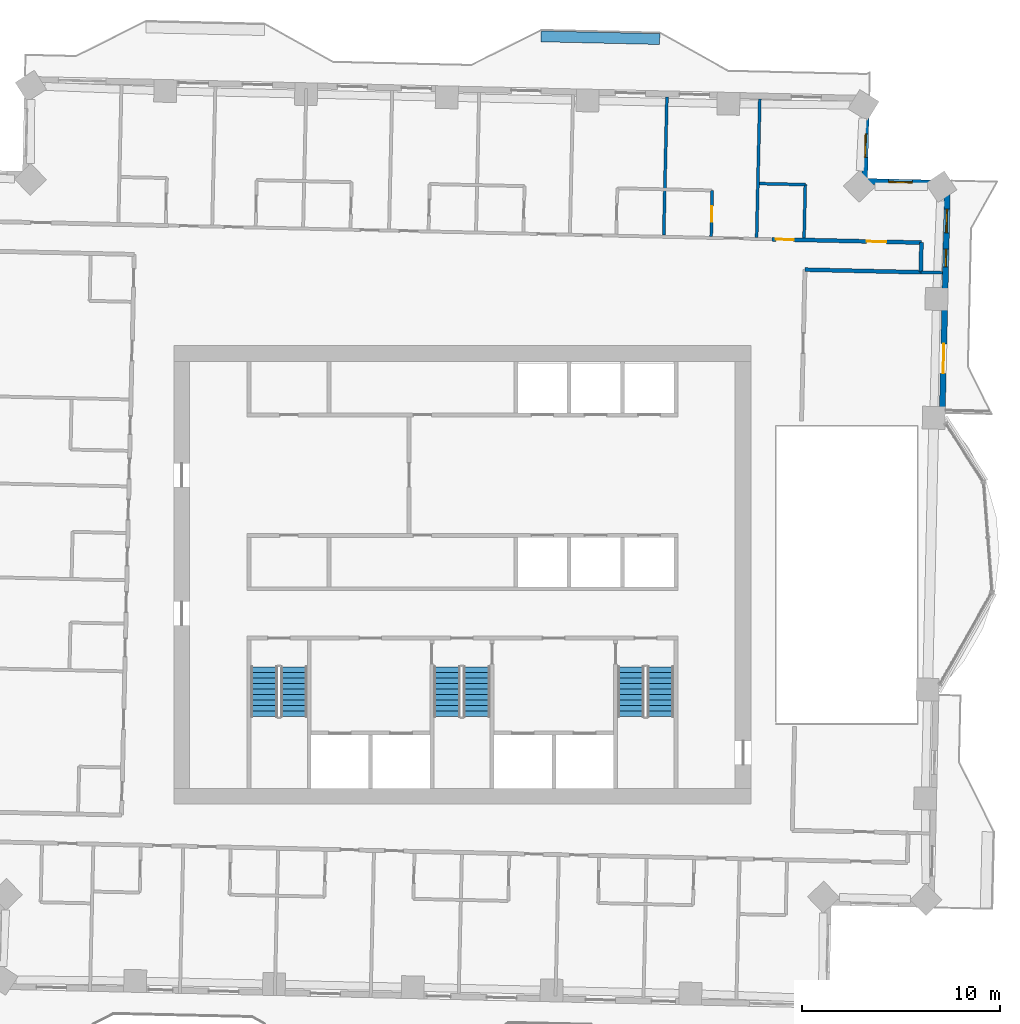
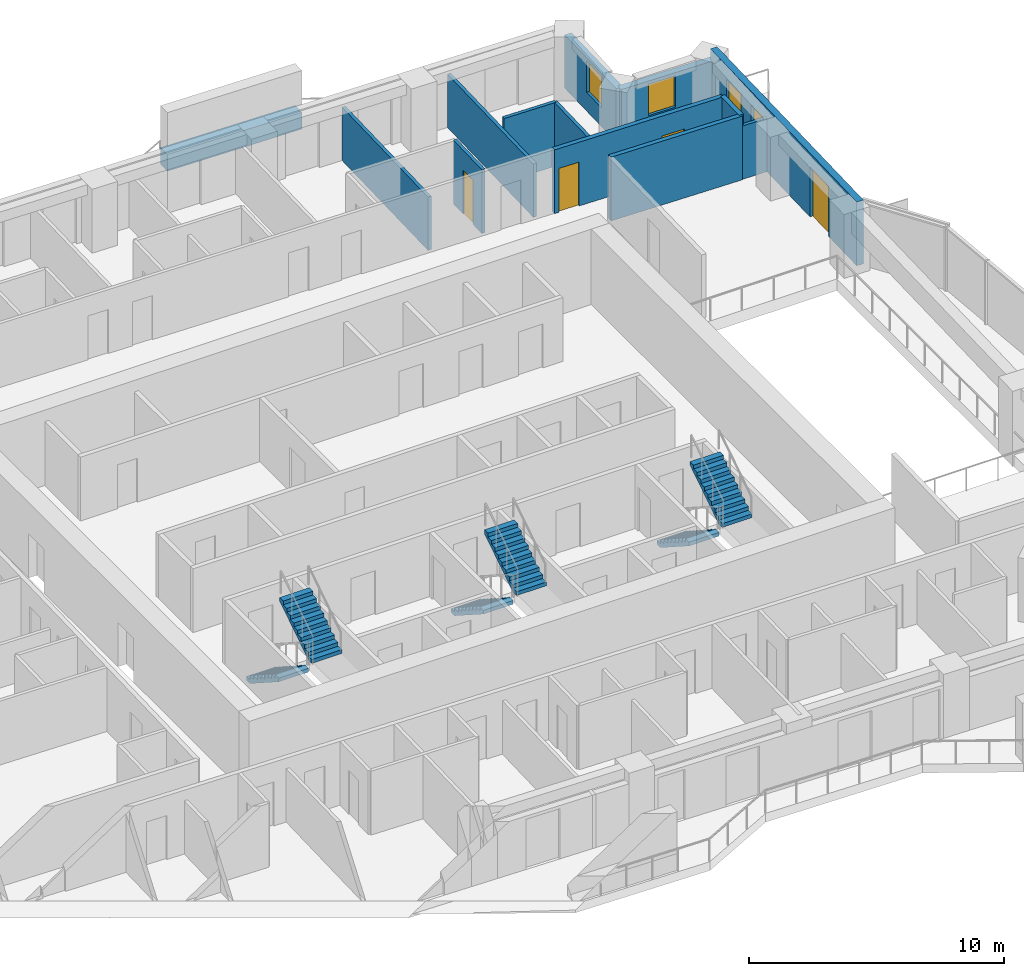
# One storey, part 12 of 16: 13 walls, 6 stair flights, 4 doors, 4 windows, 8 openings, 3 elements without a shape of their own.
"""IFC4 building model written with IfcOpenShell, lengths in metres."""

from ifc_helpers import new_model, si_unit, direction, frame, frame_2d, origin, place, context, subcontext, project, spatial, polyline, rectangle, outline, extrude, material, layer, layer_set, type_object, element, fill, aggregate, save


model = new_model("IFC4")

# Units and contexts
model_context = context("Model", 3, precision=1e-05, world=origin(), true_north=direction((0.0, 1.0)))
body_context = subcontext(model_context, "Body", "Model", "MODEL_VIEW")
ifc_project = project(units=[si_unit("LENGTHUNIT", "METRE"), si_unit("AREAUNIT", "SQUARE_METRE"), si_unit("VOLUMEUNIT", "CUBIC_METRE"), si_unit("PLANEANGLEUNIT", "RADIAN"), si_unit("MASSUNIT", "GRAM", prefix="KILO")], contexts=[model_context])

# Site, building, storey
site_placement = place(None, origin())
site = spatial("IfcSite", under=ifc_project, at=site_placement, CompositionType="ELEMENT")
building_placement = place(site_placement, origin())
building = spatial("IfcBuilding", under=site, at=building_placement, Name="Mangrove Gate Tower", CompositionType="ELEMENT")
storey_placement = place(building_placement, frame((0.0, 0.0, 201.5)))
storey = spatial("IfcBuildingStorey", under=building, at=storey_placement, Name="L51", CompositionType="ELEMENT", Elevation=201.5)

# Walls
ifc_material_1 = material(Name="Gypsum board on steel stud, EI 60", Category="steel")
ifc_layer_1 = layer(ifc_material_1, 0.199951171875)
ifc_layer_set_1 = layer_set([ifc_layer_1], Name="Corridor wall EI 60")
wall_type_1 = type_object("IfcWallType", Name="Corridor wall EI 60", PredefinedType="PARTITIONING", material=ifc_layer_set_1)
wall_1_placement = place(storey_placement, frame((17.322998046875, 15.444091796875, 0.0), z_axis=(0.0, 0.0, 1.0), x_axis=(0.999742758565, -0.022680756085, 0.0)))
element("IfcWall", 1, at=wall_1_placement, inside=storey, type_object=wall_type_1, Name="WALL-L51-050", PredefinedType="PARTITIONING", context=body_context, shape_type="SweptSolid", body=[
    extrude(rectangle(XDim=5.866455078125, YDim=0.199951171875, at=frame_2d((2.93310546875, 0.0))), origin(), (0.0, 0.0, 1.0), 3.050048828125),
])
wall_2_placement = place(storey_placement, frame((23.18603515625, 15.31494140625, 0.0), z_axis=(0.0, 0.0, 1.0), x_axis=(0.022617910375, 0.999744182344, 0.0)))
element("IfcWall", 2, at=wall_2_placement, inside=storey, type_object=wall_type_1, Name="WALL-L51-053", PredefinedType="PARTITIONING", context=body_context, shape_type="SweptSolid", body=[
    extrude(rectangle(XDim=1.50048828125, YDim=0.199951171875, at=frame_2d((0.750244140625, 0.0))), origin(), (0.0, 0.0, 1.0), 3.050048828125),
])

# Wall, openings, doors
wall_3_placement = place(storey_placement, frame((15.657958984375, 16.98193359375, 0.0), z_axis=(0.0, 0.0, 1.0), x_axis=(0.99974485859, -0.022587999516, 0.0)))
wall_3 = element("IfcWall", 3, at=wall_3_placement, inside=storey, type_object=wall_type_1, Name="WALL-L51-056", PredefinedType="PARTITIONING", context=body_context, shape_type="SweptSolid", body=[
    extrude(rectangle(XDim=7.56591796875, YDim=0.199951171875, at=frame_2d((3.782958984375, 0.0))), origin(), (0.0, 0.0, 1.0), 3.050048828125),
])
opening_1_placement = place(wall_3_placement, frame((4.7939453125, 0.0, 0.0)))
opening_1 = element("IfcOpeningElement", 4, at=opening_1_placement, cuts=wall_3, Name="Opening AD", PredefinedType="OPENING", context=body_context, shape_type="SweptSolid", body=[
    extrude(rectangle(XDim=1.0, YDim=2.10009765625, at=frame_2d((0.5, 1.050048828125))), frame((0.0, 0.10986328125, 0.0), z_axis=(0.0, -1.0, 0.0), x_axis=(1.0, 0.0, 0.0)), (0.0, 0.0, 1.0), 0.219970703125),
])
opening_2_placement = place(wall_3_placement, frame((0.199951171875, 0.0, 0.0)))
opening_2 = element("IfcOpeningElement", 5, at=opening_2_placement, cuts=wall_3, Name="Opening SD", PredefinedType="OPENING", context=body_context, shape_type="SweptSolid", body=[
    extrude(rectangle(XDim=0.89990234375, YDim=2.10009765625, at=frame_2d((0.449951171875, 1.050048828125))), frame((0.0, 0.10986328125, 0.0), z_axis=(0.0, -1.0, 0.0), x_axis=(1.0, 0.0, 0.0)), (0.0, 0.0, 1.0), 0.219970703125),
])
ifc_material_2 = material(Name="Timber door leaf", Category="wood")
door_type_1 = type_object("IfcDoorType", Name="Amenity door 1000", OperationType="SINGLE_SWING_LEFT", PredefinedType="DOOR", material=ifc_material_2)
door_1_placement = place(opening_1_placement, origin())
door_1 = element("IfcDoor", 6, at=door_1_placement, inside=storey, type_object=door_type_1, Name="DOOR-L51-KIT-c3a", OperationType="SINGLE_SWING_LEFT", OverallHeight=2.10009765625, OverallWidth=1.0, PredefinedType="DOOR", context=body_context, shape_type="SweptSolid", body=[
    extrude(rectangle(XDim=1.0, YDim=2.10009765625, at=frame_2d((0.5, 1.050048828125))), frame((0.0, 0.02490234375, 0.0), z_axis=(0.0, -1.0, 0.0), x_axis=(1.0, 0.0, 0.0)), (0.0, 0.0, 1.0), 0.050048828125),
])
fill(opening_1, door_1)
ifc_material_3 = material(Name="Timber door leaf", Category="wood")
door_type_2 = type_object("IfcDoorType", Name="Service room door 900", OperationType="SINGLE_SWING_LEFT", PredefinedType="DOOR", material=ifc_material_3)
door_2_placement = place(opening_2_placement, origin())
door_2 = element("IfcDoor", 7, at=door_2_placement, inside=storey, type_object=door_type_2, Name="DOOR-L51-WC-c3b", OperationType="SINGLE_SWING_LEFT", OverallHeight=2.10009765625, OverallWidth=0.89990234375, PredefinedType="DOOR", context=body_context, shape_type="SweptSolid", body=[
    extrude(rectangle(XDim=0.89990234375, YDim=2.10009765625, at=frame_2d((0.449951171875, 1.050048828125))), frame((0.0, 0.02490234375, 0.0), z_axis=(0.0, -1.0, 0.0), x_axis=(1.0, 0.0, 0.0)), (0.0, 0.0, 1.0), 0.050048828125),
])
fill(opening_2, door_2)

# Wall, openings, door, windows
ifc_material_4 = material(Name="Limestone", Category="masonry")
ifc_layer_2 = layer(ifc_material_4, 0.0400390625, Name="Limestone cladding")
ifc_material_5 = material(Name="Ventilated air gap")
ifc_layer_3 = layer(ifc_material_5, 0.0400390625, Name="Ventilated cavity")
ifc_material_6 = material(Name="Mineral wool insulation")
ifc_layer_4 = layer(ifc_material_6, 0.06005859375, Name="Insulation")
ifc_material_7 = material(Name="Breather membrane")
ifc_layer_5 = layer(ifc_material_7, 0.001953125, Name="Breather membrane")
ifc_material_8 = material(Name="Concrete C20/25 blockwork", Category="masonry")
ifc_layer_6 = layer(ifc_material_8, 0.14990234375, Name="Blockwork backing wall")
ifc_material_9 = material(Name="Gypsum plaster")
ifc_layer_7 = layer(ifc_material_9, 0.008056640625, Name="Internal plaster")
ifc_layer_set_2 = layer_set([ifc_layer_2, ifc_layer_3, ifc_layer_4, ifc_layer_5, ifc_layer_6, ifc_layer_7], Name="External wall 300 limestone cladding")
wall_type_2 = type_object("IfcWallType", Name="External wall 300 limestone cladding", PredefinedType="SOLIDWALL", material=ifc_layer_set_2)
wall_4_placement = place(storey_placement, frame((24.27001953125, 7.885009765625, 0.0), z_axis=(0.0, 0.0, 1.0), x_axis=(0.022715362207, 0.999741972871, 0.0)))
wall_4 = element("IfcWall", 8, at=wall_4_placement, inside=storey, type_object=wall_type_2, Name="WALL-L51-E2", PredefinedType="SOLIDWALL", context=body_context, shape_type="SweptSolid", body=[
    extrude(rectangle(XDim=11.93017578125, YDim=0.300048828125, at=frame_2d((5.965087890625, 0.0))), origin(), (0.0, 0.0, 1.0), 3.050048828125),
])
opening_3_placement = place(wall_4_placement, frame((2.31103515625, 0.0, 0.0)))
opening_3 = element("IfcOpeningElement", 9, at=opening_3_placement, cuts=wall_4, Name="Opening BD1", PredefinedType="OPENING", context=body_context, shape_type="SweptSolid", body=[
    extrude(rectangle(XDim=1.5, YDim=2.39990234375, at=frame_2d((0.75, 1.199951171875))), frame((0.0, 0.159912109375, 0.0), z_axis=(0.0, -1.0, 0.0), x_axis=(1.0, 0.0, 0.0)), (0.0, 0.0, 1.0), 0.320068359375),
])
opening_4_placement = place(wall_4_placement, frame((7.702880859375, 0.0, 0.89990234375)))
opening_4 = element("IfcOpeningElement", 10, at=opening_4_placement, cuts=wall_4, Name="Opening W5", PredefinedType="OPENING", context=body_context, shape_type="SweptSolid", body=[
    extrude(rectangle(XDim=0.89990234375, YDim=1.5, at=frame_2d((0.449951171875, 0.75))), frame((0.0, 0.159912109375, 0.0), z_axis=(0.0, -1.0, 0.0), x_axis=(1.0, 0.0, 0.0)), (0.0, 0.0, 1.0), 0.320068359375),
])
opening_5_placement = place(wall_4_placement, frame((9.426025390625, 0.0, 0.89990234375)))
opening_5 = element("IfcOpeningElement", 11, at=opening_5_placement, cuts=wall_4, Name="Opening W1", PredefinedType="OPENING", context=body_context, shape_type="SweptSolid", body=[
    extrude(rectangle(XDim=1.199951171875, YDim=1.5, at=frame_2d((0.60009765625, 0.75))), frame((0.0, 0.159912109375, 0.0), z_axis=(0.0, -1.0, 0.0), x_axis=(1.0, 0.0, 0.0)), (0.0, 0.0, 1.0), 0.320068359375),
])
ifc_material_10 = material(Name="Aluminium frame with laminated clear glass", Category="aluminium")
door_type_3 = type_object("IfcDoorType", Name="Balcony sliding door 1500x2400", OperationType="SLIDING_TO_LEFT", PredefinedType="DOOR", material=ifc_material_10)
door_3_placement = place(opening_3_placement, origin())
door_3 = element("IfcDoor", 12, at=door_3_placement, inside=storey, type_object=door_type_3, Name="DOOR-L51-E2-1", OperationType="SLIDING_TO_LEFT", OverallHeight=2.39990234375, OverallWidth=1.5, PredefinedType="DOOR", context=body_context, shape_type="SweptSolid", body=[
    extrude(rectangle(XDim=1.5, YDim=2.39990234375, at=frame_2d((0.75, 1.199951171875))), frame((0.0, 0.02490234375, 0.0), z_axis=(0.0, -1.0, 0.0), x_axis=(1.0, 0.0, 0.0)), (0.0, 0.0, 1.0), 0.050048828125),
])
fill(opening_3, door_3)
ifc_material_11 = material(Name="Aluminium frame with double-glazed low-e glass", Category="aluminium")
window_type_1 = type_object("IfcWindowType", Name="Narrow window 900x1500", PartitioningType="SINGLE_PANEL", PredefinedType="WINDOW", material=ifc_material_11)
window_1_placement = place(opening_4_placement, origin())
window_1 = element("IfcWindow", 13, at=window_1_placement, inside=storey, type_object=window_type_1, Name="WIN-L51-E2-2", OverallHeight=1.5, OverallWidth=0.89990234375, PartitioningType="SINGLE_PANEL", PredefinedType="WINDOW", context=body_context, shape_type="SweptSolid", body=[
    extrude(rectangle(XDim=0.89990234375, YDim=1.5, at=frame_2d((0.449951171875, 0.75))), frame((0.0, 0.030029296875, 0.0), z_axis=(0.0, -1.0, 0.0), x_axis=(1.0, 0.0, 0.0)), (0.0, 0.0, 1.0), 0.06005859375),
])
fill(opening_4, window_1)
ifc_material_12 = material(Name="Aluminium frame with double-glazed low-e glass", Category="aluminium")
window_type_2 = type_object("IfcWindowType", Name="Side lite 1200x1500", PartitioningType="SINGLE_PANEL", PredefinedType="WINDOW", material=ifc_material_12)
window_2_placement = place(opening_5_placement, origin())
window_2 = element("IfcWindow", 14, at=window_2_placement, inside=storey, type_object=window_type_2, Name="WIN-L51-E2-3", OverallHeight=1.5, OverallWidth=1.199951171875, PartitioningType="SINGLE_PANEL", PredefinedType="WINDOW", context=body_context, shape_type="SweptSolid", body=[
    extrude(rectangle(XDim=1.199951171875, YDim=1.5, at=frame_2d((0.60009765625, 0.75))), frame((0.0, 0.030029296875, 0.0), z_axis=(0.0, -1.0, 0.0), x_axis=(1.0, 0.0, 0.0)), (0.0, 0.0, 1.0), 0.06005859375),
])
fill(opening_5, window_2)

# Wall, opening, window
wall_5_placement = place(storey_placement, frame((24.541015625, 19.81201171875, 0.0), z_axis=(0.0, 0.0, 1.0), x_axis=(-0.999744320311, 0.022611811187, 0.0)))
wall_5 = element("IfcWall", 15, at=wall_5_placement, inside=storey, type_object=wall_type_2, Name="WALL-L51-N3", PredefinedType="SOLIDWALL", context=body_context, shape_type="SweptSolid", body=[
    extrude(rectangle(XDim=4.199951171875, YDim=0.300048828125, at=frame_2d((2.10009765625, 0.0))), origin(), (0.0, 0.0, 1.0), 2.550048828125),
])
opening_6_placement = place(wall_5_placement, frame((1.782958984375, 0.0, 0.89990234375)))
opening_6 = element("IfcOpeningElement", 16, at=opening_6_placement, cuts=wall_5, Name="Opening W1", PredefinedType="OPENING", context=body_context, shape_type="SweptSolid", body=[
    extrude(rectangle(XDim=1.199951171875, YDim=1.5, at=frame_2d((0.60009765625, 0.75))), frame((0.0, 0.159912109375, 0.0), z_axis=(0.0, -1.0, 0.0), x_axis=(1.0, 0.0, 0.0)), (0.0, 0.0, 1.0), 0.320068359375),
])
window_3_placement = place(opening_6_placement, origin())
window_3 = element("IfcWindow", 17, at=window_3_placement, inside=storey, type_object=window_type_2, Name="WIN-L51-N3-1", OverallHeight=1.5, OverallWidth=1.199951171875, PartitioningType="SINGLE_PANEL", PredefinedType="WINDOW", context=body_context, shape_type="SweptSolid", body=[
    extrude(rectangle(XDim=1.199951171875, YDim=1.5, at=frame_2d((0.60009765625, 0.75))), frame((0.0, 0.030029296875, 0.0), z_axis=(0.0, -1.0, 0.0), x_axis=(1.0, 0.0, 0.0)), (0.0, 0.0, 1.0), 0.06005859375),
])
fill(opening_6, window_3)

wall_6_placement = place(storey_placement, frame((20.342041015625, 19.906982421875, 0.0), z_axis=(0.0, 0.0, 1.0), x_axis=(0.022611811187, 0.999744320311, 0.0)))
wall_6 = element("IfcWall", 18, at=wall_6_placement, inside=storey, type_object=wall_type_2, Name="WALL-L51-E4", PredefinedType="SOLIDWALL", context=body_context, shape_type="SweptSolid", body=[
    extrude(rectangle(XDim=4.199951171875, YDim=0.300048828125, at=frame_2d((2.10009765625, 0.0))), origin(), (0.0, 0.0, 1.0), 2.550048828125),
])
opening_7_placement = place(wall_6_placement, frame((1.2119140625, 0.0, 0.89990234375)))
opening_7 = element("IfcOpeningElement", 19, at=opening_7_placement, cuts=wall_6, Name="Opening W1", PredefinedType="OPENING", context=body_context, shape_type="SweptSolid", body=[
    extrude(rectangle(XDim=1.199951171875, YDim=1.5, at=frame_2d((0.60009765625, 0.75))), frame((0.0, 0.159912109375, 0.0), z_axis=(0.0, -1.0, 0.0), x_axis=(1.0, 0.0, 0.0)), (0.0, 0.0, 1.0), 0.320068359375),
])
window_4_placement = place(opening_7_placement, origin())
window_4 = element("IfcWindow", 20, at=window_4_placement, inside=storey, type_object=window_type_2, Name="WIN-L51-E4-1", OverallHeight=1.5, OverallWidth=1.199951171875, PartitioningType="SINGLE_PANEL", PredefinedType="WINDOW", context=body_context, shape_type="SweptSolid", body=[
    extrude(rectangle(XDim=1.199951171875, YDim=1.5, at=frame_2d((0.60009765625, 0.75))), frame((0.0, 0.030029296875, 0.0), z_axis=(0.0, -1.0, 0.0), x_axis=(1.0, 0.0, 0.0)), (0.0, 0.0, 1.0), 0.06005859375),
])
fill(opening_7, window_4)

# Walls
ifc_material_13 = material(Name="Gypsum board on steel stud, EI 60", Category="steel")
ifc_layer_8 = layer(ifc_material_13, 0.14990234375)
ifc_layer_set_3 = layer_set([ifc_layer_8], Name="Party wall 150 EI 60")
wall_type_3 = type_object("IfcWallType", Name="Party wall 150 EI 60", PredefinedType="PARTITIONING", material=ifc_layer_set_3)
wall_7_placement = place(storey_placement, frame((23.18798828125, 15.31103515625, 0.0), z_axis=(0.0, 0.0, 1.0), x_axis=(0.999738848859, -0.022852441507, 0.0)))
element("IfcWall", 21, at=wall_7_placement, inside=storey, type_object=wall_type_3, Name="WALL-L51-051", PredefinedType="PARTITIONING", context=body_context, shape_type="SweptSolid", body=[
    extrude(rectangle(XDim=1.100341796875, YDim=0.14990234375, at=frame_2d((0.55029296875, 0.0))), origin(), (0.0, 0.0, 1.0), 2.550048828125),
])
wall_8_placement = place(storey_placement, frame((10.18505859375, 17.18603515625, 0.0), z_axis=(0.0, 0.0, 1.0), x_axis=(0.022702393474, 0.999742267452, 0.0)))
element("IfcWall", 22, at=wall_8_placement, inside=storey, type_object=wall_type_3, Name="WALL-L51-069", PredefinedType="PARTITIONING", context=body_context, shape_type="SweptSolid", body=[
    extrude(rectangle(XDim=7.000732421875, YDim=0.14990234375, at=frame_2d((3.50048828125, 0.0))), origin(), (0.0, 0.0, 1.0), 2.550048828125),
])

# Wall, opening, door
wall_9_placement = place(storey_placement, frame((12.5849609375, 17.131103515625, 0.0), z_axis=(0.0, 0.0, 1.0), x_axis=(0.022781023197, 0.999740478815, 0.0)))
wall_9 = element("IfcWall", 23, at=wall_9_placement, inside=storey, type_object=wall_type_3, Name="WALL-L51-070", PredefinedType="PARTITIONING", context=body_context, shape_type="SweptSolid", body=[
    extrude(rectangle(XDim=2.325439453125, YDim=0.14990234375, at=frame_2d((1.16259765625, 0.0))), origin(), (0.0, 0.0, 1.0), 3.050048828125),
])
opening_8_placement = place(wall_9_placement, frame((0.72509765625, 0.0, 0.0)))
opening_8 = element("IfcOpeningElement", 24, at=opening_8_placement, cuts=wall_9, Name="Opening ED", PredefinedType="OPENING", context=body_context, shape_type="SweptSolid", body=[
    extrude(rectangle(XDim=0.800048828125, YDim=2.10009765625, at=frame_2d((0.39990234375, 1.050048828125))), frame((0.0, 0.0849609375, 0.0), z_axis=(0.0, -1.0, 0.0), x_axis=(1.0, 0.0, 0.0)), (0.0, 0.0, 1.0), 0.169921875),
])
ifc_material_14 = material(Name="Timber door leaf", Category="wood")
door_type_4 = type_object("IfcDoorType", Name="En-suite door 800", OperationType="SINGLE_SWING_LEFT", PredefinedType="DOOR", material=ifc_material_14)
door_4_placement = place(opening_8_placement, origin())
door_4 = element("IfcDoor", 25, at=door_4_placement, inside=storey, type_object=door_type_4, Name="DOOR-L51-ENS-c308", OperationType="SINGLE_SWING_RIGHT", OverallHeight=2.10009765625, OverallWidth=0.800048828125, PredefinedType="DOOR", context=body_context, shape_type="SweptSolid", body=[
    extrude(rectangle(XDim=0.800048828125, YDim=2.10009765625, at=frame_2d((0.39990234375, 1.050048828125))), frame((0.0, 0.02490234375, 0.0), z_axis=(0.0, -1.0, 0.0), x_axis=(1.0, 0.0, 0.0)), (0.0, 0.0, 1.0), 0.050048828125),
])
fill(opening_8, door_4)

# Walls
wall_10_placement = place(storey_placement, frame((14.884033203125, 17.0791015625, 0.0), z_axis=(0.0, 0.0, 1.0), x_axis=(0.022703185001, 0.999742249478, 0.0)))
element("IfcWall", 26, at=wall_10_placement, inside=storey, type_object=wall_type_3, Name="WALL-L51-071", PredefinedType="PARTITIONING", context=body_context, shape_type="SweptSolid", body=[
    extrude(rectangle(XDim=7.00048828125, YDim=0.14990234375, at=frame_2d((3.500244140625, 0.0))), origin(), (0.0, 0.0, 1.0), 2.550048828125),
])
wall_11_placement = place(storey_placement, frame((17.283935546875, 17.050048828125, 0.0), z_axis=(0.0, 0.0, 1.0), x_axis=(0.02260842146, 0.999744396973, 0.0)))
element("IfcWall", 27, at=wall_11_placement, inside=storey, type_object=wall_type_3, Name="WALL-L51-072", PredefinedType="PARTITIONING", context=body_context, shape_type="SweptSolid", body=[
    extrude(rectangle(XDim=2.69970703125, YDim=0.14990234375, at=frame_2d((1.349853515625, 0.0))), origin(), (0.0, 0.0, 1.0), 3.050048828125),
])
wall_12_placement = place(storey_placement, frame((15.01904296875, 19.798095703125, 0.0), z_axis=(0.0, 0.0, 1.0), x_axis=(0.999740260747, -0.02279059109, 0.0)))
element("IfcWall", 28, at=wall_12_placement, inside=storey, type_object=wall_type_3, Name="WALL-L51-077", PredefinedType="PARTITIONING", context=body_context, shape_type="SweptSolid", body=[
    extrude(rectangle(XDim=2.324462890625, YDim=0.14990234375, at=frame_2d((1.162109375, 0.0))), origin(), (0.0, 0.0, 1.0), 3.050048828125),
])
ifc_material_15 = material(Name="Concrete C32/40", Category="concrete")
ifc_layer_9 = layer(ifc_material_15, 0.199951171875, Name="Planter trough wall")
ifc_material_16 = material(Name="Bituminous waterproofing membrane")
ifc_layer_10 = layer(ifc_material_16, 0.0048828125, Name="Waterproofing")
ifc_material_17 = material(Name="Drainage board and gravel")
ifc_layer_11 = layer(ifc_material_17, 0.044921875, Name="Drainage layer")
ifc_material_18 = material(Name="Planting soil")
ifc_layer_12 = layer(ifc_material_18, 0.300048828125, Name="Growing medium")
ifc_layer_set_4 = layer_set([ifc_layer_9, ifc_layer_10, ifc_layer_11, ifc_layer_12], Name="Planter wall 550 C32/40")
wall_type_4 = type_object("IfcWallType", Name="Planter wall 550 C32/40", PredefinedType="USERDEFINED", material=ifc_layer_set_4)
wall_13_placement = place(storey_placement, frame((3.98193359375, 27.2451171875, 0.0), z_axis=(0.0, 0.0, 1.0), x_axis=(0.999742255469, -0.022702921152, 0.0)))
element("IfcWall", 29, at=wall_13_placement, inside=storey, type_object=wall_type_4, Name="PLANTER L51 N0.1", ObjectType="PLANTER", PredefinedType="USERDEFINED", context=body_context, shape_type="SweptSolid", body=[
    extrude(rectangle(XDim=6.00048828125, YDim=0.550048828125, at=frame_2d((3.000244140625, 0.0))), origin(), (0.0, 0.0, 1.0), 0.800048828125),
])

# Stair, stair flights
ifc_material_19 = material(Name="Concrete C40/50", Category="concrete")
stair_type = type_object("IfcStairType", Name="Core stair 1350", PredefinedType="HALF_TURN_STAIR", material=ifc_material_19)
stair_1_placement = place(storey_placement, origin())
stair_1 = element("IfcStair", 30, at=stair_1_placement, inside=storey, type_object=stair_type, Name="L51 Stair 1", PredefinedType="HALF_TURN_STAIR")
ifc_material_20 = material(Name="Concrete C40/50", Category="concrete")
stair_flight_type = type_object("IfcStairFlightType", Name="Core stair flight 1350", PredefinedType="STRAIGHT", material=ifc_material_20)
stair_flight_1_placement = place(storey_placement, frame((-10.02490234375, -4.64990234375, 0.0), z_axis=(0.0, 0.0, 1.0), x_axis=(0.0, -1.0, 0.0)))
stair_flight_1 = element("IfcStairFlight", 31, at=stair_flight_1_placement, type_object=stair_flight_type, Name="ST1 flight 1", NumberOfRisers=10, NumberOfTreads=9, PredefinedType="STRAIGHT", RiserHeight=0.18, TreadLength=0.28, context=body_context, shape_type="SweptSolid", body=[
    extrude(outline(polyline([(0.0, 0.0), (0.0, 0.179931640625), (0.280029296875, 0.179931640625), (0.280029296875, 0.360107421875), (0.56005859375, 0.360107421875), (0.56005859375, 0.5400390625), (0.840087890625, 0.5400390625), (0.840087890625, 0.719970703125), (1.1201171875, 0.719970703125), (1.1201171875, 0.89990234375), (1.39990234375, 0.89990234375), (1.39990234375, 1.080078125), (1.679931640625, 1.080078125), (1.679931640625, 1.260009765625), (1.9599609375, 1.260009765625), (1.9599609375, 1.43994140625), (2.239990234375, 1.43994140625), (2.239990234375, 1.6201171875), (2.52001953125, 1.6201171875), (2.52001953125, 1.800048828125), (2.52001953125, 1.44189453125), (0.277099609375, 0.0), (0.0, 0.0)])), frame((0.0, 0.675048828125, 0.0), z_axis=(0.0, -1.0, 0.0), x_axis=(1.0, 0.0, 0.0)), (0.0, 0.0, 1.0), 1.35009765625),
])
stair_flight_2_placement = place(storey_placement, frame((-8.52490234375, -7.169921875, 1.800048828125), z_axis=(0.0, 0.0, 1.0), x_axis=(0.0, 1.0, 0.0)))
stair_flight_2 = element("IfcStairFlight", 32, at=stair_flight_2_placement, type_object=stair_flight_type, Name="ST1 flight 2", NumberOfRisers=10, NumberOfTreads=9, PredefinedType="STRAIGHT", RiserHeight=0.18, TreadLength=0.28, context=body_context, shape_type="SweptSolid", body=[
    extrude(outline(polyline([(0.0, 0.0), (0.0, 0.179931640625), (0.280029296875, 0.179931640625), (0.280029296875, 0.360107421875), (0.56005859375, 0.360107421875), (0.56005859375, 0.5400390625), (0.840087890625, 0.5400390625), (0.840087890625, 0.719970703125), (1.1201171875, 0.719970703125), (1.1201171875, 0.89990234375), (1.39990234375, 0.89990234375), (1.39990234375, 1.080078125), (1.679931640625, 1.080078125), (1.679931640625, 1.260009765625), (1.9599609375, 1.260009765625), (1.9599609375, 1.43994140625), (2.239990234375, 1.43994140625), (2.239990234375, 1.6201171875), (2.52001953125, 1.6201171875), (2.52001953125, 1.800048828125), (2.52001953125, 1.44189453125), (0.277099609375, 0.0), (0.0, 0.0)])), frame((0.0, 0.675048828125, 0.0), z_axis=(0.0, -1.0, 0.0), x_axis=(1.0, 0.0, 0.0)), (0.0, 0.0, 1.0), 1.35009765625),
])
aggregate(stair_1, [stair_flight_1, stair_flight_2])

stair_2_placement = place(storey_placement, origin())
stair_2 = element("IfcStair", 33, at=stair_2_placement, inside=storey, type_object=stair_type, Name="L51 Stair 2", PredefinedType="HALF_TURN_STAIR")
stair_flight_3_placement = place(storey_placement, frame((-0.77490234375, -4.64990234375, 0.0), z_axis=(0.0, 0.0, 1.0), x_axis=(0.0, -1.0, 0.0)))
stair_flight_3 = element("IfcStairFlight", 34, at=stair_flight_3_placement, type_object=stair_flight_type, Name="ST2 flight 1", NumberOfRisers=10, NumberOfTreads=9, PredefinedType="STRAIGHT", RiserHeight=0.18, TreadLength=0.28, context=body_context, shape_type="SweptSolid", body=[
    extrude(outline(polyline([(0.0, 0.0), (0.0, 0.179931640625), (0.280029296875, 0.179931640625), (0.280029296875, 0.360107421875), (0.56005859375, 0.360107421875), (0.56005859375, 0.5400390625), (0.840087890625, 0.5400390625), (0.840087890625, 0.719970703125), (1.1201171875, 0.719970703125), (1.1201171875, 0.89990234375), (1.39990234375, 0.89990234375), (1.39990234375, 1.080078125), (1.679931640625, 1.080078125), (1.679931640625, 1.260009765625), (1.9599609375, 1.260009765625), (1.9599609375, 1.43994140625), (2.239990234375, 1.43994140625), (2.239990234375, 1.6201171875), (2.52001953125, 1.6201171875), (2.52001953125, 1.800048828125), (2.52001953125, 1.44189453125), (0.277099609375, 0.0), (0.0, 0.0)])), frame((0.0, 0.675048828125, 0.0), z_axis=(0.0, -1.0, 0.0), x_axis=(1.0, 0.0, 0.0)), (0.0, 0.0, 1.0), 1.35009765625),
])
stair_flight_4_placement = place(storey_placement, frame((0.72509765625, -7.169921875, 1.800048828125), z_axis=(0.0, 0.0, 1.0), x_axis=(0.0, 1.0, 0.0)))
stair_flight_4 = element("IfcStairFlight", 35, at=stair_flight_4_placement, type_object=stair_flight_type, Name="ST2 flight 2", NumberOfRisers=10, NumberOfTreads=9, PredefinedType="STRAIGHT", RiserHeight=0.18, TreadLength=0.28, context=body_context, shape_type="SweptSolid", body=[
    extrude(outline(polyline([(0.0, 0.0), (0.0, 0.179931640625), (0.280029296875, 0.179931640625), (0.280029296875, 0.360107421875), (0.56005859375, 0.360107421875), (0.56005859375, 0.5400390625), (0.840087890625, 0.5400390625), (0.840087890625, 0.719970703125), (1.1201171875, 0.719970703125), (1.1201171875, 0.89990234375), (1.39990234375, 0.89990234375), (1.39990234375, 1.080078125), (1.679931640625, 1.080078125), (1.679931640625, 1.260009765625), (1.9599609375, 1.260009765625), (1.9599609375, 1.43994140625), (2.239990234375, 1.43994140625), (2.239990234375, 1.6201171875), (2.52001953125, 1.6201171875), (2.52001953125, 1.800048828125), (2.52001953125, 1.44189453125), (0.277099609375, 0.0), (0.0, 0.0)])), frame((0.0, 0.675048828125, 0.0), z_axis=(0.0, -1.0, 0.0), x_axis=(1.0, 0.0, 0.0)), (0.0, 0.0, 1.0), 1.35009765625),
])
aggregate(stair_2, [stair_flight_3, stair_flight_4])

stair_3_placement = place(storey_placement, origin())
stair_3 = element("IfcStair", 36, at=stair_3_placement, inside=storey, type_object=stair_type, Name="L51 Stair 3", PredefinedType="HALF_TURN_STAIR")
stair_flight_5_placement = place(storey_placement, frame((8.52490234375, -4.64990234375, 0.0), z_axis=(0.0, 0.0, 1.0), x_axis=(0.0, -1.0, 0.0)))
stair_flight_5 = element("IfcStairFlight", 37, at=stair_flight_5_placement, type_object=stair_flight_type, Name="ST3 flight 1", NumberOfRisers=10, NumberOfTreads=9, PredefinedType="STRAIGHT", RiserHeight=0.18, TreadLength=0.28, context=body_context, shape_type="SweptSolid", body=[
    extrude(outline(polyline([(0.0, 0.0), (0.0, 0.179931640625), (0.280029296875, 0.179931640625), (0.280029296875, 0.360107421875), (0.56005859375, 0.360107421875), (0.56005859375, 0.5400390625), (0.840087890625, 0.5400390625), (0.840087890625, 0.719970703125), (1.1201171875, 0.719970703125), (1.1201171875, 0.89990234375), (1.39990234375, 0.89990234375), (1.39990234375, 1.080078125), (1.679931640625, 1.080078125), (1.679931640625, 1.260009765625), (1.9599609375, 1.260009765625), (1.9599609375, 1.43994140625), (2.239990234375, 1.43994140625), (2.239990234375, 1.6201171875), (2.52001953125, 1.6201171875), (2.52001953125, 1.800048828125), (2.52001953125, 1.44189453125), (0.277099609375, 0.0), (0.0, 0.0)])), frame((0.0, 0.675048828125, 0.0), z_axis=(0.0, -1.0, 0.0), x_axis=(1.0, 0.0, 0.0)), (0.0, 0.0, 1.0), 1.35009765625),
])
stair_flight_6_placement = place(storey_placement, frame((10.02490234375, -7.169921875, 1.800048828125), z_axis=(0.0, 0.0, 1.0), x_axis=(0.0, 1.0, 0.0)))
stair_flight_6 = element("IfcStairFlight", 38, at=stair_flight_6_placement, type_object=stair_flight_type, Name="ST3 flight 2", NumberOfRisers=10, NumberOfTreads=9, PredefinedType="STRAIGHT", RiserHeight=0.18, TreadLength=0.28, context=body_context, shape_type="SweptSolid", body=[
    extrude(outline(polyline([(0.0, 0.0), (0.0, 0.179931640625), (0.280029296875, 0.179931640625), (0.280029296875, 0.360107421875), (0.56005859375, 0.360107421875), (0.56005859375, 0.5400390625), (0.840087890625, 0.5400390625), (0.840087890625, 0.719970703125), (1.1201171875, 0.719970703125), (1.1201171875, 0.89990234375), (1.39990234375, 0.89990234375), (1.39990234375, 1.080078125), (1.679931640625, 1.080078125), (1.679931640625, 1.260009765625), (1.9599609375, 1.260009765625), (1.9599609375, 1.43994140625), (2.239990234375, 1.43994140625), (2.239990234375, 1.6201171875), (2.52001953125, 1.6201171875), (2.52001953125, 1.800048828125), (2.52001953125, 1.44189453125), (0.277099609375, 0.0), (0.0, 0.0)])), frame((0.0, 0.675048828125, 0.0), z_axis=(0.0, -1.0, 0.0), x_axis=(1.0, 0.0, 0.0)), (0.0, 0.0, 1.0), 1.35009765625),
])
aggregate(stair_3, [stair_flight_5, stair_flight_6])

save(model, "model.ifc")
